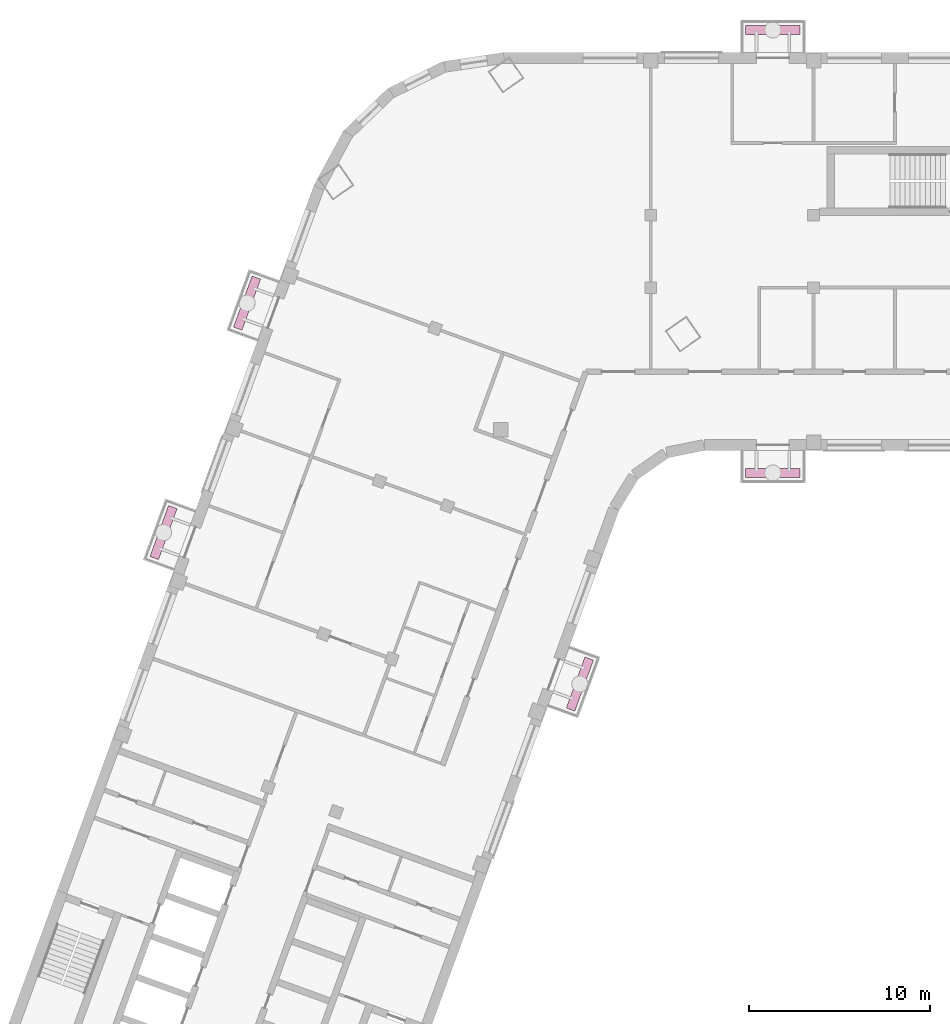
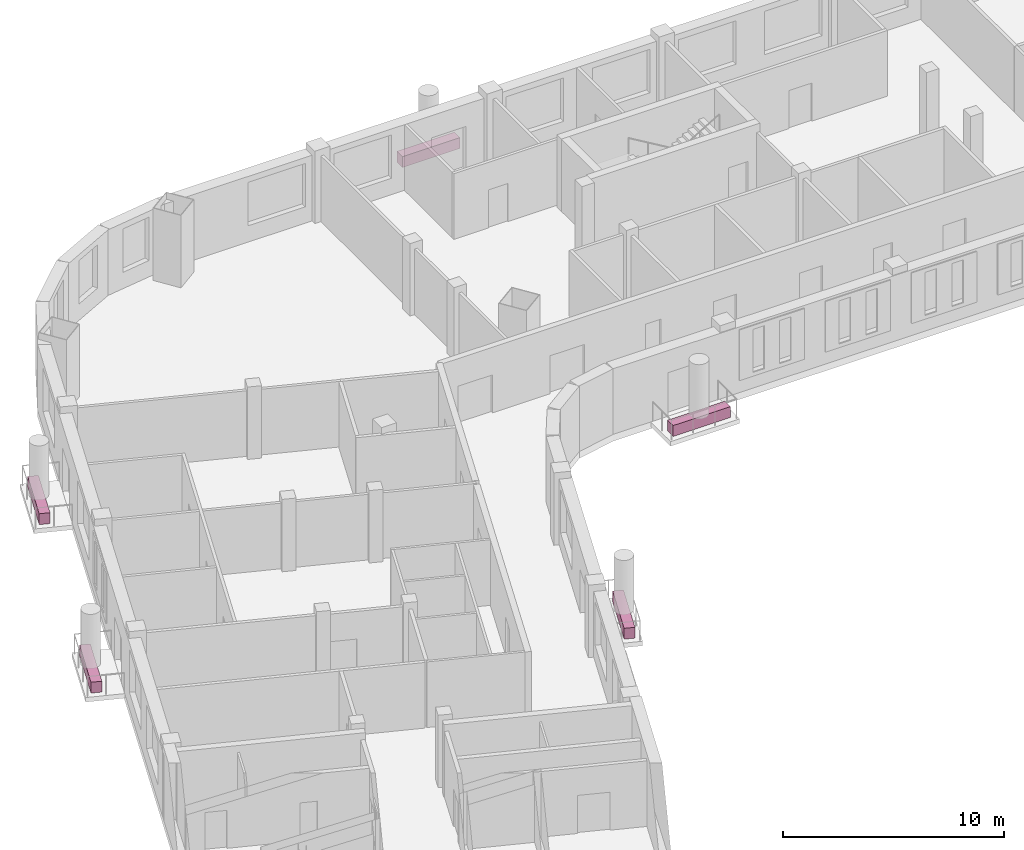
# One storey, part 10 of 11: 5 furniture elements.
"""IFC4 building model written with IfcOpenShell, lengths in metres."""

from ifc_helpers import new_model, si_unit, direction, frame, origin, origin_2d, place, context, subcontext, project, spatial, rectangle, extrude, element, save


model = new_model("IFC4")

# Units and contexts
model_context = context("Model", 3, precision=1e-05, world=origin(), true_north=direction((0.0, 1.0)))
body_context = subcontext(model_context, "Body", "Model", "MODEL_VIEW")
ifc_project = project(units=[si_unit("LENGTHUNIT", "METRE"), si_unit("AREAUNIT", "SQUARE_METRE"), si_unit("VOLUMEUNIT", "CUBIC_METRE"), si_unit("PLANEANGLEUNIT", "RADIAN"), si_unit("MASSUNIT", "GRAM", prefix="KILO")], contexts=[model_context])

# Site, building, storey
site_placement = place(None, origin())
site = spatial("IfcSite", under=ifc_project, at=site_placement, CompositionType="ELEMENT")
building_placement = place(site_placement, origin())
building = spatial("IfcBuilding", under=site, at=building_placement, Name="Skarvind Civic Tower", CompositionType="ELEMENT")
storey_placement = place(building_placement, frame((0.0, 0.0, 142.5)))
storey = spatial("IfcBuildingStorey", under=building, at=storey_placement, Name="L33", CompositionType="ELEMENT", Elevation=142.5)

# Furniture
for number, where, z_axis, x_axis, name in (
    (1, (50.328857421875, 104.07666015625, 0.0), (0.0, 0.0, 1.0), (-0.342020143326, -0.939692620786, 0.0), "TREE BALCONY PLANTER"),
    (2, (61.0, 115.75, 0.0), (0.0, 0.0, 1.0), (-1.0, 0.0, 0.0), "TREE BALCONY PLANTER"),
    (3, (61.0, 140.25, 0.0), (0.0, 0.0, 1.0), (1.0, 0.0, 0.0), "TREE BALCONY PLANTER"),
    (4, (27.306396484375, 112.456298828125, 0.0), (0.0, 0.0, 1.0), (0.342020143326, 0.939692620786, 0.0), "TREE BALCONY PLANTER"),
    (5, (31.923583984375, 125.14208984375, 0.0), (0.0, 0.0, 1.0), (0.342020143326, 0.939692620786, 0.0), "TREE BALCONY PLANTER"),
):
    element("IfcFurniture", number, at=place(storey_placement, frame(where, z_axis=z_axis, x_axis=x_axis)), inside=storey, Name=name, ObjectType="PLANTER", PredefinedType="USERDEFINED", context=body_context, shape_type="SweptSolid", body=[
        extrude(rectangle(XDim=3.0, YDim=0.5, at=origin_2d()), origin(), (0.0, 0.0, 1.0), 0.60009765625),
    ])

save(model, "model.ifc")
